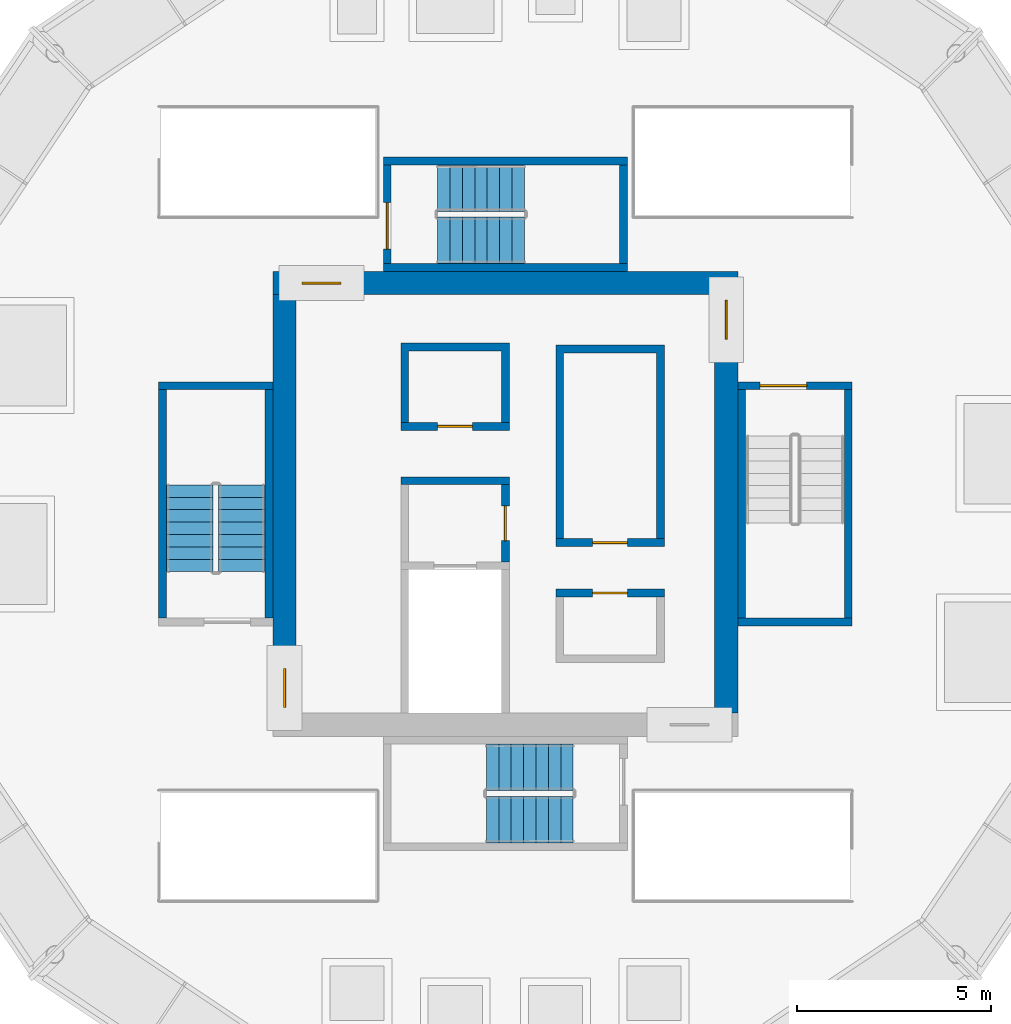
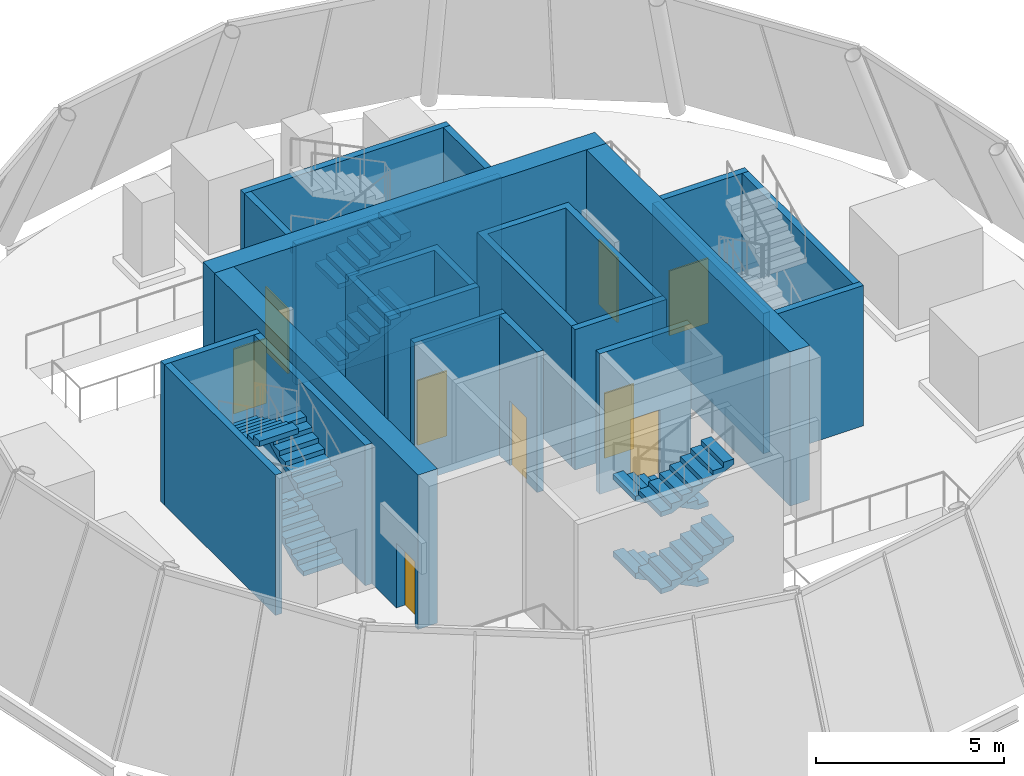
# One storey, part 4 of 8: 21 walls, 11 stair flights, 9 doors, 9 openings, 3 elements without a shape of their own.
"""IFC4 building model written with IfcOpenShell, lengths in metres."""

from ifc_helpers import new_model, si_unit, direction, frame, frame_2d, origin, place, context, subcontext, project, spatial, polyline, rectangle, outline, extrude, material, layer, layer_set, type_object, element, fill, aggregate, save


model = new_model("IFC4")

# Units and contexts
model_context = context("Model", 3, precision=1e-05, world=origin(), true_north=direction((0.0, 1.0)))
body_context = subcontext(model_context, "Body", "Model", "MODEL_VIEW")
ifc_project = project(units=[si_unit("LENGTHUNIT", "METRE"), si_unit("AREAUNIT", "SQUARE_METRE"), si_unit("VOLUMEUNIT", "CUBIC_METRE"), si_unit("PLANEANGLEUNIT", "RADIAN"), si_unit("MASSUNIT", "GRAM", prefix="KILO")], contexts=[model_context])

# Site, building, storey
site_placement = place(None, origin())
site = spatial("IfcSite", under=ifc_project, at=site_placement, CompositionType="ELEMENT")
building_placement = place(site_placement, origin())
building = spatial("IfcBuilding", under=site, at=building_placement, Name="Corvane Civic Tower", CompositionType="ELEMENT")
storey_placement = place(building_placement, frame((0.0, 0.0, 392.5)))
storey = spatial("IfcBuildingStorey", under=building, at=storey_placement, Name="L93", CompositionType="ELEMENT", Elevation=392.5)

# Wall, opening, door
ifc_material_1 = material(Name="Concrete C40/50", Category="concrete")
ifc_layer_1 = layer(ifc_material_1, 0.60009765625)
ifc_layer_set_1 = layer_set([ifc_layer_1], Name="Concrete C40/50")
wall_type_1 = type_object("IfcWallType", Name="CORE WALL 600 C40/50", PredefinedType="SHEAR", material=ifc_layer_set_1)
wall_1_placement = place(storey_placement, frame((-6.0, 5.699951171875, 0.0), z_axis=(0.0, 0.0, 1.0), x_axis=(1.0, 0.0, 0.0)))
wall_1 = element("IfcWall", 1, at=wall_1_placement, inside=storey, type_object=wall_type_1, Name="W-L93-core-N", PredefinedType="SHEAR", context=body_context, shape_type="SweptSolid", body=[
    extrude(rectangle(XDim=12.0, YDim=0.60009765625, at=frame_2d((6.0, 0.0))), origin(), (0.0, 0.0, 1.0), 5.0),
])
opening_1_placement = place(wall_1_placement, frame((0.75, 0.0, 0.0)))
opening_1 = element("IfcOpeningElement", 2, at=opening_1_placement, cuts=wall_1, Name="Opening L93.C10", PredefinedType="OPENING", context=body_context, shape_type="SweptSolid", body=[
    extrude(rectangle(XDim=1.0, YDim=2.10009765625, at=frame_2d((0.5, 1.050048828125))), frame((0.0, 0.31005859375, 0.0), z_axis=(0.0, -1.0, 0.0), x_axis=(1.0, 0.0, 0.0)), (0.0, 0.0, 1.0), 0.6201171875),
])
ifc_material_2 = material(Name="Steel fire door leaf", Category="steel")
door_type_1 = type_object("IfcDoorType", Name="CR-DOOR-CORE-1800", OperationType="DOUBLE_DOOR_SINGLE_SWING", PredefinedType="DOOR", material=ifc_material_2)
door_1_placement = place(opening_1_placement, origin())
door_1 = element("IfcDoor", 3, at=door_1_placement, inside=storey, type_object=door_type_1, Name="L93 door", OperationType="DOUBLE_DOOR_SINGLE_SWING", OverallHeight=2.10009765625, OverallWidth=1.0, PredefinedType="DOOR", context=body_context, shape_type="SweptSolid", body=[
    extrude(rectangle(XDim=1.0, YDim=2.10009765625, at=frame_2d((0.5, 1.050048828125))), frame((0.0, 0.02490234375, 0.0), z_axis=(0.0, -1.0, 0.0), x_axis=(1.0, 0.0, 0.0)), (0.0, 0.0, 1.0), 0.050048828125),
])
fill(opening_1, door_1)

wall_2_placement = place(storey_placement, frame((5.699951171875, -5.39990234375, 0.0), z_axis=(0.0, 0.0, 1.0), x_axis=(0.0, 1.0, 0.0)))
wall_2 = element("IfcWall", 4, at=wall_2_placement, inside=storey, type_object=wall_type_1, Name="W-L93-core-E", PredefinedType="SHEAR", context=body_context, shape_type="SweptSolid", body=[
    extrude(rectangle(XDim=10.7998046875, YDim=0.60009765625, at=frame_2d((5.39990234375, 0.0))), origin(), (0.0, 0.0, 1.0), 5.0),
])
opening_2_placement = place(wall_2_placement, frame((9.64990234375, 0.0, 0.0)))
opening_2 = element("IfcOpeningElement", 5, at=opening_2_placement, cuts=wall_2, Name="Opening L93.C09", PredefinedType="OPENING", context=body_context, shape_type="SweptSolid", body=[
    extrude(rectangle(XDim=1.0, YDim=2.10009765625, at=frame_2d((0.5, 1.050048828125))), frame((0.0, 0.31005859375, 0.0), z_axis=(0.0, -1.0, 0.0), x_axis=(1.0, 0.0, 0.0)), (0.0, 0.0, 1.0), 0.6201171875),
])
door_2_placement = place(opening_2_placement, origin())
door_2 = element("IfcDoor", 6, at=door_2_placement, inside=storey, type_object=door_type_1, Name="L93 door", OperationType="DOUBLE_DOOR_SINGLE_SWING", OverallHeight=2.10009765625, OverallWidth=1.0, PredefinedType="DOOR", context=body_context, shape_type="SweptSolid", body=[
    extrude(rectangle(XDim=1.0, YDim=2.10009765625, at=frame_2d((0.5, 1.050048828125))), frame((0.0, 0.02490234375, 0.0), z_axis=(0.0, -1.0, 0.0), x_axis=(1.0, 0.0, 0.0)), (0.0, 0.0, 1.0), 0.050048828125),
])
fill(opening_2, door_2)

wall_3_placement = place(storey_placement, frame((-5.699951171875, -5.39990234375, 0.0), z_axis=(0.0, 0.0, 1.0), x_axis=(0.0, 1.0, 0.0)))
wall_3 = element("IfcWall", 7, at=wall_3_placement, inside=storey, type_object=wall_type_1, Name="W-L93-core-W", PredefinedType="SHEAR", context=body_context, shape_type="SweptSolid", body=[
    extrude(rectangle(XDim=10.7998046875, YDim=0.60009765625, at=frame_2d((5.39990234375, 0.0))), origin(), (0.0, 0.0, 1.0), 5.0),
])
opening_3_placement = place(wall_3_placement, frame((0.14990234375, 0.0, 0.0)))
opening_3 = element("IfcOpeningElement", 8, at=opening_3_placement, cuts=wall_3, Name="Opening L93.C11", PredefinedType="OPENING", context=body_context, shape_type="SweptSolid", body=[
    extrude(rectangle(XDim=1.0, YDim=2.10009765625, at=frame_2d((0.5, 1.050048828125))), frame((0.0, 0.31005859375, 0.0), z_axis=(0.0, -1.0, 0.0), x_axis=(1.0, 0.0, 0.0)), (0.0, 0.0, 1.0), 0.6201171875),
])
door_3_placement = place(opening_3_placement, origin())
door_3 = element("IfcDoor", 9, at=door_3_placement, inside=storey, type_object=door_type_1, Name="L93 door", OperationType="DOUBLE_DOOR_SINGLE_SWING", OverallHeight=2.10009765625, OverallWidth=1.0, PredefinedType="DOOR", context=body_context, shape_type="SweptSolid", body=[
    extrude(rectangle(XDim=1.0, YDim=2.10009765625, at=frame_2d((0.5, 1.050048828125))), frame((0.0, 0.02490234375, 0.0), z_axis=(0.0, -1.0, 0.0), x_axis=(1.0, 0.0, 0.0)), (0.0, 0.0, 1.0), 0.050048828125),
])
fill(opening_3, door_3)

ifc_material_3 = material(Name="Concrete C30/37", Category="concrete")
ifc_layer_2 = layer(ifc_material_3, 0.199951171875)
ifc_layer_set_2 = layer_set([ifc_layer_2], Name="Concrete C30/37")
wall_type_2 = type_object("IfcWallType", Name="CR-WALL-200", PredefinedType="PARTITIONING", material=ifc_layer_set_2)
wall_4_placement = place(storey_placement, frame((1.300048828125, -2.300048828125, 0.0), z_axis=(0.0, 0.0, 1.0), x_axis=(1.0, 0.0, 0.0)))
wall_4 = element("IfcWall", 10, at=wall_4_placement, inside=storey, type_object=wall_type_2, Name="L93 core partition wall", PredefinedType="PARTITIONING", context=body_context, shape_type="SweptSolid", body=[
    extrude(rectangle(XDim=2.800048828125, YDim=0.199951171875, at=frame_2d((1.39990234375, 0.0))), origin(), (0.0, 0.0, 1.0), 4.550048828125),
])
opening_4_placement = place(wall_4_placement, frame((0.949951171875, 0.0, 0.0)))
opening_4 = element("IfcOpeningElement", 11, at=opening_4_placement, cuts=wall_4, Name="Opening L93.C04", PredefinedType="OPENING", context=body_context, shape_type="SweptSolid", body=[
    extrude(rectangle(XDim=0.89990234375, YDim=2.10009765625, at=frame_2d((0.449951171875, 1.050048828125))), frame((0.0, 0.10986328125, 0.0), z_axis=(0.0, -1.0, 0.0), x_axis=(1.0, 0.0, 0.0)), (0.0, 0.0, 1.0), 0.219970703125),
])
ifc_material_4 = material(Name="Steel fire door leaf", Category="steel")
door_type_2 = type_object("IfcDoorType", Name="CR-DOOR-900", OperationType="SINGLE_SWING_LEFT", PredefinedType="DOOR", material=ifc_material_4)
door_4_placement = place(opening_4_placement, origin())
door_4 = element("IfcDoor", 12, at=door_4_placement, inside=storey, type_object=door_type_2, Name="L93 door", OperationType="SINGLE_SWING_LEFT", OverallHeight=2.10009765625, OverallWidth=0.89990234375, PredefinedType="DOOR", context=body_context, shape_type="SweptSolid", body=[
    extrude(rectangle(XDim=0.89990234375, YDim=2.10009765625, at=frame_2d((0.449951171875, 1.050048828125))), frame((0.0, 0.02490234375, 0.0), z_axis=(0.0, -1.0, 0.0), x_axis=(1.0, 0.0, 0.0)), (0.0, 0.0, 1.0), 0.050048828125),
])
fill(opening_4, door_4)

wall_5_placement = place(storey_placement, frame((1.300048828125, -1.0, 0.0), z_axis=(0.0, 0.0, 1.0), x_axis=(1.0, 0.0, 0.0)))
wall_5 = element("IfcWall", 13, at=wall_5_placement, inside=storey, type_object=wall_type_2, Name="L93 core partition wall", PredefinedType="PARTITIONING", context=body_context, shape_type="SweptSolid", body=[
    extrude(rectangle(XDim=2.800048828125, YDim=0.199951171875, at=frame_2d((1.39990234375, 0.0))), origin(), (0.0, 0.0, 1.0), 4.550048828125),
])
opening_5_placement = place(wall_5_placement, frame((0.949951171875, 0.0, 0.0)))
opening_5 = element("IfcOpeningElement", 14, at=opening_5_placement, cuts=wall_5, Name="Opening L93.C02", PredefinedType="OPENING", context=body_context, shape_type="SweptSolid", body=[
    extrude(rectangle(XDim=0.89990234375, YDim=2.10009765625, at=frame_2d((0.449951171875, 1.050048828125))), frame((0.0, 0.10986328125, 0.0), z_axis=(0.0, -1.0, 0.0), x_axis=(1.0, 0.0, 0.0)), (0.0, 0.0, 1.0), 0.219970703125),
])
door_5_placement = place(opening_5_placement, origin())
door_5 = element("IfcDoor", 15, at=door_5_placement, inside=storey, type_object=door_type_2, Name="L93 door", OperationType="SINGLE_SWING_LEFT", OverallHeight=2.10009765625, OverallWidth=0.89990234375, PredefinedType="DOOR", context=body_context, shape_type="SweptSolid", body=[
    extrude(rectangle(XDim=0.89990234375, YDim=2.10009765625, at=frame_2d((0.449951171875, 1.050048828125))), frame((0.0, 0.02490234375, 0.0), z_axis=(0.0, -1.0, 0.0), x_axis=(1.0, 0.0, 0.0)), (0.0, 0.0, 1.0), 0.050048828125),
])
fill(opening_5, door_5)

wall_6_placement = place(storey_placement, frame((-2.699951171875, 2.0, 0.0), z_axis=(0.0, 0.0, 1.0), x_axis=(1.0, 0.0, 0.0)))
wall_6 = element("IfcWall", 16, at=wall_6_placement, inside=storey, type_object=wall_type_2, Name="L93 core partition wall", PredefinedType="PARTITIONING", context=body_context, shape_type="SweptSolid", body=[
    extrude(rectangle(XDim=2.800048828125, YDim=0.199951171875, at=frame_2d((1.39990234375, 0.0))), origin(), (0.0, 0.0, 1.0), 4.550048828125),
])
opening_6_placement = place(wall_6_placement, frame((0.949951171875, 0.0, 0.0)))
opening_6 = element("IfcOpeningElement", 17, at=opening_6_placement, cuts=wall_6, Name="Opening L93.C03", PredefinedType="OPENING", context=body_context, shape_type="SweptSolid", body=[
    extrude(rectangle(XDim=0.89990234375, YDim=2.10009765625, at=frame_2d((0.449951171875, 1.050048828125))), frame((0.0, 0.10986328125, 0.0), z_axis=(0.0, -1.0, 0.0), x_axis=(1.0, 0.0, 0.0)), (0.0, 0.0, 1.0), 0.219970703125),
])
door_6_placement = place(opening_6_placement, origin())
door_6 = element("IfcDoor", 18, at=door_6_placement, inside=storey, type_object=door_type_2, Name="L93 door", OperationType="SINGLE_SWING_LEFT", OverallHeight=2.10009765625, OverallWidth=0.89990234375, PredefinedType="DOOR", context=body_context, shape_type="SweptSolid", body=[
    extrude(rectangle(XDim=0.89990234375, YDim=2.10009765625, at=frame_2d((0.449951171875, 1.050048828125))), frame((0.0, 0.02490234375, 0.0), z_axis=(0.0, -1.0, 0.0), x_axis=(1.0, 0.0, 0.0)), (0.0, 0.0, 1.0), 0.050048828125),
])
fill(opening_6, door_6)

wall_7_placement = place(storey_placement, frame((0.0, -1.5, 0.0), z_axis=(0.0, 0.0, 1.0), x_axis=(0.0, 1.0, 0.0)))
wall_7 = element("IfcWall", 19, at=wall_7_placement, inside=storey, type_object=wall_type_2, Name="L93 core partition wall", PredefinedType="PARTITIONING", context=body_context, shape_type="SweptSolid", body=[
    extrude(rectangle(XDim=2.0, YDim=0.199951171875, at=frame_2d((1.0, 0.0))), origin(), (0.0, 0.0, 1.0), 4.550048828125),
])
opening_7_placement = place(wall_7_placement, frame((0.550048828125, 0.0, 0.0)))
opening_7 = element("IfcOpeningElement", 20, at=opening_7_placement, cuts=wall_7, Name="Opening L93.C01", PredefinedType="OPENING", context=body_context, shape_type="SweptSolid", body=[
    extrude(rectangle(XDim=0.89990234375, YDim=2.10009765625, at=frame_2d((0.449951171875, 1.050048828125))), frame((0.0, 0.10986328125, 0.0), z_axis=(0.0, -1.0, 0.0), x_axis=(1.0, 0.0, 0.0)), (0.0, 0.0, 1.0), 0.219970703125),
])
door_7_placement = place(opening_7_placement, origin())
door_7 = element("IfcDoor", 21, at=door_7_placement, inside=storey, type_object=door_type_2, Name="L93 door", OperationType="SINGLE_SWING_LEFT", OverallHeight=2.10009765625, OverallWidth=0.89990234375, PredefinedType="DOOR", context=body_context, shape_type="SweptSolid", body=[
    extrude(rectangle(XDim=0.89990234375, YDim=2.10009765625, at=frame_2d((0.449951171875, 1.050048828125))), frame((0.0, 0.02490234375, 0.0), z_axis=(0.0, -1.0, 0.0), x_axis=(1.0, 0.0, 0.0)), (0.0, 0.0, 1.0), 0.050048828125),
])
fill(opening_7, door_7)

# Walls
wall_8_placement = place(storey_placement, origin())
element("IfcWall", 22, at=wall_8_placement, inside=storey, type_object=wall_type_2, Name="L93 core partition wall", PredefinedType="PARTITIONING", context=body_context, shape_type="SweptSolid", body=[
    extrude(outline(polyline([(0.10009765625, 0.699951171875), (0.10009765625, 0.5), (-2.699951171875, 0.5), (-2.699951171875, 0.699951171875), (0.10009765625, 0.699951171875)])), origin(), (0.0, 0.0, 1.0), 4.550048828125),
])
wall_9_placement = place(storey_placement, origin())
element("IfcWall", 23, at=wall_9_placement, inside=storey, type_object=wall_type_2, Name="L93 core partition wall", PredefinedType="PARTITIONING", context=body_context, shape_type="SweptSolid", body=[
    extrude(outline(polyline([(-2.699951171875, 4.14990234375), (0.10009765625, 4.14990234375), (0.10009765625, 2.10009765625), (-0.10009765625, 2.10009765625), (-0.10009765625, 3.949951171875), (-2.5, 3.949951171875), (-2.5, 2.10009765625), (-2.699951171875, 2.10009765625), (-2.699951171875, 4.14990234375)])), origin(), (0.0, 0.0, 1.0), 4.550048828125),
])
wall_10_placement = place(storey_placement, origin())
element("IfcWall", 24, at=wall_10_placement, inside=storey, type_object=wall_type_2, Name="L93 core partition wall", PredefinedType="PARTITIONING", context=body_context, shape_type="SweptSolid", body=[
    extrude(outline(polyline([(1.300048828125, -0.89990234375), (1.300048828125, 4.10009765625), (4.10009765625, 4.10009765625), (4.10009765625, -0.89990234375), (3.89990234375, -0.89990234375), (3.89990234375, 3.89990234375), (1.5, 3.89990234375), (1.5, -0.89990234375), (1.300048828125, -0.89990234375)])), origin(), (0.0, 0.0, 1.0), 4.550048828125),
])

# Wall, opening, door
ifc_material_5 = material(Name="Concrete C50/60", Category="concrete")
ifc_layer_3 = layer(ifc_material_5, 0.199951171875)
ifc_layer_set_3 = layer_set([ifc_layer_3], Name="Concrete C50/60")
wall_type_3 = type_object("IfcWallType", Name="ST-WALL-200", PredefinedType="SHEAR", material=ifc_layer_set_3)
wall_11_placement = place(storey_placement, frame((6.0, 3.050048828125, 0.0), z_axis=(0.0, 0.0, 1.0), x_axis=(1.0, 0.0, 0.0)))
wall_11 = element("IfcWall", 25, at=wall_11_placement, inside=storey, type_object=wall_type_3, Name="L93 stair enclosure wall", PredefinedType="SHEAR", context=body_context, shape_type="SweptSolid", body=[
    extrude(rectangle(XDim=2.949951171875, YDim=0.199951171875, at=frame_2d((1.47509765625, 0.0))), origin(), (0.0, 0.0, 1.0), 4.550048828125),
])
opening_8_placement = place(wall_11_placement, frame((0.574951171875, 0.0, 0.0)))
opening_8 = element("IfcOpeningElement", 26, at=opening_8_placement, cuts=wall_11, Name="Opening L93.C05", PredefinedType="OPENING", context=body_context, shape_type="SweptSolid", body=[
    extrude(rectangle(XDim=1.199951171875, YDim=2.10009765625, at=frame_2d((0.60009765625, 1.050048828125))), frame((0.0, 0.10986328125, 0.0), z_axis=(0.0, -1.0, 0.0), x_axis=(1.0, 0.0, 0.0)), (0.0, 0.0, 1.0), 0.219970703125),
])
ifc_material_6 = material(Name="Steel fire door leaf", Category="steel")
door_type_3 = type_object("IfcDoorType", Name="ST-DOOR-1200", OperationType="SINGLE_SWING_RIGHT", PredefinedType="DOOR", material=ifc_material_6)
door_8_placement = place(opening_8_placement, origin())
door_8 = element("IfcDoor", 27, at=door_8_placement, inside=storey, type_object=door_type_3, Name="L93 stair door", OperationType="SINGLE_SWING_RIGHT", OverallHeight=2.10009765625, OverallWidth=1.199951171875, PredefinedType="DOOR", context=body_context, shape_type="SweptSolid", body=[
    extrude(rectangle(XDim=1.199951171875, YDim=2.10009765625, at=frame_2d((0.60009765625, 1.050048828125))), frame((0.0, 0.02490234375, 0.0), z_axis=(0.0, -1.0, 0.0), x_axis=(1.0, 0.0, 0.0)), (0.0, 0.0, 1.0), 0.050048828125),
])
fill(opening_8, door_8)

wall_12_placement = place(storey_placement, frame((-3.050048828125, 6.199951171875, 0.0), z_axis=(0.0, 0.0, 1.0), x_axis=(0.0, 1.0, 0.0)))
wall_12 = element("IfcWall", 28, at=wall_12_placement, inside=storey, type_object=wall_type_3, Name="L93 stair enclosure wall", PredefinedType="SHEAR", context=body_context, shape_type="SweptSolid", body=[
    extrude(rectangle(XDim=2.550048828125, YDim=0.199951171875, at=frame_2d((1.27490234375, 0.0))), origin(), (0.0, 0.0, 1.0), 4.550048828125),
])
opening_9_placement = place(wall_12_placement, frame((0.375, 0.0, 0.0)))
opening_9 = element("IfcOpeningElement", 29, at=opening_9_placement, cuts=wall_12, Name="Opening L93.C06", PredefinedType="OPENING", context=body_context, shape_type="SweptSolid", body=[
    extrude(rectangle(XDim=1.199951171875, YDim=2.10009765625, at=frame_2d((0.60009765625, 1.050048828125))), frame((0.0, 0.10986328125, 0.0), z_axis=(0.0, -1.0, 0.0), x_axis=(1.0, 0.0, 0.0)), (0.0, 0.0, 1.0), 0.219970703125),
])
door_9_placement = place(opening_9_placement, origin())
door_9 = element("IfcDoor", 30, at=door_9_placement, inside=storey, type_object=door_type_3, Name="L93 stair door", OperationType="SINGLE_SWING_RIGHT", OverallHeight=2.10009765625, OverallWidth=1.199951171875, PredefinedType="DOOR", context=body_context, shape_type="SweptSolid", body=[
    extrude(rectangle(XDim=1.199951171875, YDim=2.10009765625, at=frame_2d((0.60009765625, 1.050048828125))), frame((0.0, 0.02490234375, 0.0), z_axis=(0.0, -1.0, 0.0), x_axis=(1.0, 0.0, 0.0)), (0.0, 0.0, 1.0), 0.050048828125),
])
fill(opening_9, door_9)

# Walls
wall_13_placement = place(storey_placement, origin())
element("IfcWall", 31, at=wall_13_placement, inside=storey, type_object=wall_type_3, Name="L93 stair enclosure wall", PredefinedType="SHEAR", context=body_context, shape_type="SweptSolid", body=[
    extrude(outline(polyline([(3.14990234375, 6.0), (-3.14990234375, 6.0), (-3.14990234375, 6.199951171875), (3.14990234375, 6.199951171875), (3.14990234375, 6.0)])), origin(), (0.0, 0.0, 1.0), 4.550048828125),
])
wall_14_placement = place(storey_placement, origin())
element("IfcWall", 32, at=wall_14_placement, inside=storey, type_object=wall_type_3, Name="L93 stair enclosure wall", PredefinedType="SHEAR", context=body_context, shape_type="SweptSolid", body=[
    extrude(outline(polyline([(3.14990234375, 8.75), (-3.14990234375, 8.75), (-3.14990234375, 8.949951171875), (3.14990234375, 8.949951171875), (3.14990234375, 8.75)])), origin(), (0.0, 0.0, 1.0), 4.550048828125),
])
wall_15_placement = place(storey_placement, origin())
element("IfcWall", 33, at=wall_15_placement, inside=storey, type_object=wall_type_3, Name="L93 stair enclosure wall", PredefinedType="SHEAR", context=body_context, shape_type="SweptSolid", body=[
    extrude(outline(polyline([(-8.75, 2.949951171875), (-8.75, -2.949951171875), (-8.949951171875, -2.949951171875), (-8.949951171875, 2.949951171875), (-8.75, 2.949951171875)])), origin(), (0.0, 0.0, 1.0), 4.550048828125),
])
wall_16_placement = place(storey_placement, origin())
element("IfcWall", 34, at=wall_16_placement, inside=storey, type_object=wall_type_3, Name="L93 stair enclosure wall", PredefinedType="SHEAR", context=body_context, shape_type="SweptSolid", body=[
    extrude(outline(polyline([(-6.0, 2.949951171875), (-6.0, -2.949951171875), (-6.199951171875, -2.949951171875), (-6.199951171875, 2.949951171875), (-6.0, 2.949951171875)])), origin(), (0.0, 0.0, 1.0), 4.550048828125),
])
wall_17_placement = place(storey_placement, origin())
element("IfcWall", 35, at=wall_17_placement, inside=storey, type_object=wall_type_3, Name="L93 stair enclosure wall", PredefinedType="SHEAR", context=body_context, shape_type="SweptSolid", body=[
    extrude(outline(polyline([(6.199951171875, 2.949951171875), (6.199951171875, -2.949951171875), (6.0, -2.949951171875), (6.0, 2.949951171875), (6.199951171875, 2.949951171875)])), origin(), (0.0, 0.0, 1.0), 4.550048828125),
])
wall_18_placement = place(storey_placement, origin())
element("IfcWall", 36, at=wall_18_placement, inside=storey, type_object=wall_type_3, Name="L93 stair enclosure wall", PredefinedType="SHEAR", context=body_context, shape_type="SweptSolid", body=[
    extrude(outline(polyline([(8.949951171875, 2.949951171875), (8.949951171875, -2.949951171875), (8.75, -2.949951171875), (8.75, 2.949951171875), (8.949951171875, 2.949951171875)])), origin(), (0.0, 0.0, 1.0), 4.550048828125),
])
wall_19_placement = place(storey_placement, origin())
element("IfcWall", 37, at=wall_19_placement, inside=storey, type_object=wall_type_3, Name="L93 stair enclosure wall", PredefinedType="SHEAR", context=body_context, shape_type="SweptSolid", body=[
    extrude(outline(polyline([(-6.0, 2.9501953125), (-6.2001953125, 2.949951171875), (-8.949951171875, 2.9501953125), (-8.949951171875, 3.14990234375), (-6.0, 3.14990234375), (-6.0, 2.9501953125)])), origin(), (0.0, 0.0, 1.0), 4.550048828125),
])
wall_20_placement = place(storey_placement, origin())
element("IfcWall", 38, at=wall_20_placement, inside=storey, type_object=wall_type_3, Name="L93 stair enclosure wall", PredefinedType="SHEAR", context=body_context, shape_type="SweptSolid", body=[
    extrude(outline(polyline([(8.949951171875, -3.14990234375), (6.0, -3.14990234375), (6.0, -2.9501953125), (6.2001953125, -2.949951171875), (8.949951171875, -2.9501953125), (8.949951171875, -3.14990234375)])), origin(), (0.0, 0.0, 1.0), 4.550048828125),
])
wall_21_placement = place(storey_placement, origin())
element("IfcWall", 39, at=wall_21_placement, inside=storey, type_object=wall_type_3, Name="L93 stair enclosure wall", PredefinedType="SHEAR", context=body_context, shape_type="SweptSolid", body=[
    extrude(outline(polyline([(3.14990234375, 6.2001953125), (2.949951171875, 6.2001953125), (2.949951171875, 8.75), (3.14990234375, 8.75), (3.14990234375, 6.2001953125)])), origin(), (0.0, 0.0, 1.0), 4.550048828125),
])

# Stair, stair flights
ifc_material_7 = material(Name="Concrete C40/50", Category="concrete")
stair_type = type_object("IfcStairType", Name="ST-STAIR-HALFTURN", PredefinedType="HALF_TURN_STAIR", material=ifc_material_7)
stair_1_placement = place(storey_placement, origin())
stair_1 = element("IfcStair", 40, at=stair_1_placement, inside=storey, type_object=stair_type, Name="L93 Crown stair CS2", PredefinedType="HALF_TURN_STAIR")
ifc_material_8 = material(Name="Concrete C40/50", Category="concrete")
stair_flight_type = type_object("IfcStairFlightType", Name="ST-FLIGHT-RC", PredefinedType="STRAIGHT", material=ifc_material_8)
stair_flight_1_placement = place(storey_placement, frame((-1.75, 6.800048828125, 0.0), z_axis=(0.0, 0.0, 1.0), x_axis=(1.0, 0.0, 0.0)))
stair_flight_1 = element("IfcStairFlight", 41, at=stair_flight_1_placement, type_object=stair_flight_type, Name="CS2 flight 1", NumberOfRisers=8, NumberOfTreads=7, PredefinedType="STRAIGHT", RiserHeight=0.15625, TreadLength=0.32, context=body_context, shape_type="SweptSolid", body=[
    extrude(outline(polyline([(0.0, 0.0), (0.0, 0.15625), (0.320068359375, 0.15625), (0.320068359375, 0.3125), (0.639892578125, 0.3125), (0.639892578125, 0.46875), (0.9599609375, 0.46875), (0.9599609375, 0.625), (1.280029296875, 0.625), (1.280029296875, 0.78125), (1.60009765625, 0.78125), (1.60009765625, 0.9375), (1.919921875, 0.9375), (1.919921875, 1.09375), (2.239990234375, 1.09375), (2.239990234375, 1.25), (2.239990234375, 0.927001953125), (0.341552734375, 0.0), (0.0, 0.0)])), frame((0.0, 0.60009765625, 0.0), z_axis=(0.0, -1.0, 0.0), x_axis=(1.0, 0.0, 0.0)), (0.0, 0.0, 1.0), 1.199951171875),
])
stair_flight_2_placement = place(storey_placement, frame((0.489990234375, 8.14990234375, 1.25), z_axis=(0.0, 0.0, 1.0), x_axis=(-1.0, 0.0, 0.0)))
stair_flight_2 = element("IfcStairFlight", 42, at=stair_flight_2_placement, type_object=stair_flight_type, Name="CS2 flight 2", NumberOfRisers=8, NumberOfTreads=7, PredefinedType="STRAIGHT", RiserHeight=0.15625, TreadLength=0.32, context=body_context, shape_type="SweptSolid", body=[
    extrude(outline(polyline([(0.0, 0.0), (0.0, 0.15625), (0.320068359375, 0.15625), (0.320068359375, 0.3125), (0.639892578125, 0.3125), (0.639892578125, 0.46875), (0.9599609375, 0.46875), (0.9599609375, 0.625), (1.280029296875, 0.625), (1.280029296875, 0.78125), (1.60009765625, 0.78125), (1.60009765625, 0.9375), (1.919921875, 0.9375), (1.919921875, 1.09375), (2.239990234375, 1.09375), (2.239990234375, 1.25), (2.239990234375, 0.927001953125), (0.341552734375, 0.0), (0.0, 0.0)])), frame((0.0, 0.60009765625, 0.0), z_axis=(0.0, -1.0, 0.0), x_axis=(1.0, 0.0, 0.0)), (0.0, 0.0, 1.0), 1.199951171875),
])
stair_flight_3_placement = place(storey_placement, frame((-1.75, 6.800048828125, 2.5), z_axis=(0.0, 0.0, 1.0), x_axis=(1.0, 0.0, 0.0)))
stair_flight_3 = element("IfcStairFlight", 43, at=stair_flight_3_placement, type_object=stair_flight_type, Name="CS2 flight 3", NumberOfRisers=8, NumberOfTreads=7, PredefinedType="STRAIGHT", RiserHeight=0.15625, TreadLength=0.32, context=body_context, shape_type="SweptSolid", body=[
    extrude(outline(polyline([(0.0, 0.0), (0.0, 0.15625), (0.320068359375, 0.15625), (0.320068359375, 0.3125), (0.639892578125, 0.3125), (0.639892578125, 0.46875), (0.9599609375, 0.46875), (0.9599609375, 0.625), (1.280029296875, 0.625), (1.280029296875, 0.78125), (1.60009765625, 0.78125), (1.60009765625, 0.9375), (1.919921875, 0.9375), (1.919921875, 1.09375), (2.239990234375, 1.09375), (2.239990234375, 1.25), (2.239990234375, 0.927001953125), (0.341552734375, 0.0), (0.0, 0.0)])), frame((0.0, 0.60009765625, 0.0), z_axis=(0.0, -1.0, 0.0), x_axis=(1.0, 0.0, 0.0)), (0.0, 0.0, 1.0), 1.199951171875),
])
aggregate(stair_1, [stair_flight_1, stair_flight_2, stair_flight_3])

stair_2_placement = place(storey_placement, origin())
stair_2 = element("IfcStair", 44, at=stair_2_placement, inside=storey, type_object=stair_type, Name="L93 Crown stair CS3", PredefinedType="HALF_TURN_STAIR")
stair_flight_4_placement = place(storey_placement, frame((-6.800048828125, -1.75, 0.0), z_axis=(0.0, 0.0, 1.0), x_axis=(0.0, 1.0, 0.0)))
stair_flight_4 = element("IfcStairFlight", 45, at=stair_flight_4_placement, type_object=stair_flight_type, Name="CS3 flight 1", NumberOfRisers=8, NumberOfTreads=7, PredefinedType="STRAIGHT", RiserHeight=0.15625, TreadLength=0.32, context=body_context, shape_type="SweptSolid", body=[
    extrude(outline(polyline([(0.0, 0.0), (0.0, 0.15625), (0.320068359375, 0.15625), (0.320068359375, 0.3125), (0.639892578125, 0.3125), (0.639892578125, 0.46875), (0.9599609375, 0.46875), (0.9599609375, 0.625), (1.280029296875, 0.625), (1.280029296875, 0.78125), (1.60009765625, 0.78125), (1.60009765625, 0.9375), (1.919921875, 0.9375), (1.919921875, 1.09375), (2.239990234375, 1.09375), (2.239990234375, 1.25), (2.239990234375, 0.927001953125), (0.341552734375, 0.0), (0.0, 0.0)])), frame((0.0, 0.60009765625, 0.0), z_axis=(0.0, -1.0, 0.0), x_axis=(1.0, 0.0, 0.0)), (0.0, 0.0, 1.0), 1.199951171875),
])
stair_flight_5_placement = place(storey_placement, frame((-8.14990234375, 0.489990234375, 1.25), z_axis=(0.0, 0.0, 1.0), x_axis=(0.0, -1.0, 0.0)))
stair_flight_5 = element("IfcStairFlight", 46, at=stair_flight_5_placement, type_object=stair_flight_type, Name="CS3 flight 2", NumberOfRisers=8, NumberOfTreads=7, PredefinedType="STRAIGHT", RiserHeight=0.15625, TreadLength=0.32, context=body_context, shape_type="SweptSolid", body=[
    extrude(outline(polyline([(0.0, 0.0), (0.0, 0.15625), (0.320068359375, 0.15625), (0.320068359375, 0.3125), (0.639892578125, 0.3125), (0.639892578125, 0.46875), (0.9599609375, 0.46875), (0.9599609375, 0.625), (1.280029296875, 0.625), (1.280029296875, 0.78125), (1.60009765625, 0.78125), (1.60009765625, 0.9375), (1.919921875, 0.9375), (1.919921875, 1.09375), (2.239990234375, 1.09375), (2.239990234375, 1.25), (2.239990234375, 0.927001953125), (0.341552734375, 0.0), (0.0, 0.0)])), frame((0.0, 0.60009765625, 0.0), z_axis=(0.0, -1.0, 0.0), x_axis=(1.0, 0.0, 0.0)), (0.0, 0.0, 1.0), 1.199951171875),
])
stair_flight_6_placement = place(storey_placement, frame((-6.800048828125, -1.75, 2.5), z_axis=(0.0, 0.0, 1.0), x_axis=(0.0, 1.0, 0.0)))
stair_flight_6 = element("IfcStairFlight", 47, at=stair_flight_6_placement, type_object=stair_flight_type, Name="CS3 flight 3", NumberOfRisers=8, NumberOfTreads=7, PredefinedType="STRAIGHT", RiserHeight=0.15625, TreadLength=0.32, context=body_context, shape_type="SweptSolid", body=[
    extrude(outline(polyline([(0.0, 0.0), (0.0, 0.15625), (0.320068359375, 0.15625), (0.320068359375, 0.3125), (0.639892578125, 0.3125), (0.639892578125, 0.46875), (0.9599609375, 0.46875), (0.9599609375, 0.625), (1.280029296875, 0.625), (1.280029296875, 0.78125), (1.60009765625, 0.78125), (1.60009765625, 0.9375), (1.919921875, 0.9375), (1.919921875, 1.09375), (2.239990234375, 1.09375), (2.239990234375, 1.25), (2.239990234375, 0.927001953125), (0.341552734375, 0.0), (0.0, 0.0)])), frame((0.0, 0.60009765625, 0.0), z_axis=(0.0, -1.0, 0.0), x_axis=(1.0, 0.0, 0.0)), (0.0, 0.0, 1.0), 1.199951171875),
])
stair_flight_7_placement = place(storey_placement, frame((-8.14990234375, 0.489990234375, 3.75), z_axis=(0.0, 0.0, 1.0), x_axis=(0.0, -1.0, 0.0)))
stair_flight_7 = element("IfcStairFlight", 48, at=stair_flight_7_placement, type_object=stair_flight_type, Name="CS3 flight 4", NumberOfRisers=8, NumberOfTreads=7, PredefinedType="STRAIGHT", RiserHeight=0.15625, TreadLength=0.32, context=body_context, shape_type="SweptSolid", body=[
    extrude(outline(polyline([(0.0, 0.0), (0.0, 0.15625), (0.320068359375, 0.15625), (0.320068359375, 0.3125), (0.639892578125, 0.3125), (0.639892578125, 0.46875), (0.9599609375, 0.46875), (0.9599609375, 0.625), (1.280029296875, 0.625), (1.280029296875, 0.78125), (1.60009765625, 0.78125), (1.60009765625, 0.9375), (1.919921875, 0.9375), (1.919921875, 1.09375), (2.239990234375, 1.09375), (2.239990234375, 1.25), (2.239990234375, 0.927001953125), (0.341552734375, 0.0), (0.0, 0.0)])), frame((0.0, 0.60009765625, 0.0), z_axis=(0.0, -1.0, 0.0), x_axis=(1.0, 0.0, 0.0)), (0.0, 0.0, 1.0), 1.199951171875),
])
aggregate(stair_2, [stair_flight_4, stair_flight_5, stair_flight_6, stair_flight_7])

stair_3_placement = place(storey_placement, origin())
stair_3 = element("IfcStair", 49, at=stair_3_placement, inside=storey, type_object=stair_type, Name="L93 Crown stair CS4", PredefinedType="HALF_TURN_STAIR")
stair_flight_8_placement = place(storey_placement, frame((1.75, -6.800048828125, 0.0), z_axis=(0.0, 0.0, 1.0), x_axis=(-1.0, 0.0, 0.0)))
stair_flight_8 = element("IfcStairFlight", 50, at=stair_flight_8_placement, type_object=stair_flight_type, Name="CS4 flight 1", NumberOfRisers=8, NumberOfTreads=7, PredefinedType="STRAIGHT", RiserHeight=0.15625, TreadLength=0.32, context=body_context, shape_type="SweptSolid", body=[
    extrude(outline(polyline([(0.0, 0.0), (0.0, 0.15625), (0.320068359375, 0.15625), (0.320068359375, 0.3125), (0.639892578125, 0.3125), (0.639892578125, 0.46875), (0.9599609375, 0.46875), (0.9599609375, 0.625), (1.280029296875, 0.625), (1.280029296875, 0.78125), (1.60009765625, 0.78125), (1.60009765625, 0.9375), (1.919921875, 0.9375), (1.919921875, 1.09375), (2.239990234375, 1.09375), (2.239990234375, 1.25), (2.239990234375, 0.927001953125), (0.341552734375, 0.0), (0.0, 0.0)])), frame((0.0, 0.60009765625, 0.0), z_axis=(0.0, -1.0, 0.0), x_axis=(1.0, 0.0, 0.0)), (0.0, 0.0, 1.0), 1.199951171875),
])
stair_flight_9_placement = place(storey_placement, frame((-0.489990234375, -8.14990234375, 1.25), z_axis=(0.0, 0.0, 1.0), x_axis=(1.0, 0.0, 0.0)))
stair_flight_9 = element("IfcStairFlight", 51, at=stair_flight_9_placement, type_object=stair_flight_type, Name="CS4 flight 2", NumberOfRisers=8, NumberOfTreads=7, PredefinedType="STRAIGHT", RiserHeight=0.15625, TreadLength=0.32, context=body_context, shape_type="SweptSolid", body=[
    extrude(outline(polyline([(0.0, 0.0), (0.0, 0.15625), (0.320068359375, 0.15625), (0.320068359375, 0.3125), (0.639892578125, 0.3125), (0.639892578125, 0.46875), (0.9599609375, 0.46875), (0.9599609375, 0.625), (1.280029296875, 0.625), (1.280029296875, 0.78125), (1.60009765625, 0.78125), (1.60009765625, 0.9375), (1.919921875, 0.9375), (1.919921875, 1.09375), (2.239990234375, 1.09375), (2.239990234375, 1.25), (2.239990234375, 0.927001953125), (0.341552734375, 0.0), (0.0, 0.0)])), frame((0.0, 0.60009765625, 0.0), z_axis=(0.0, -1.0, 0.0), x_axis=(1.0, 0.0, 0.0)), (0.0, 0.0, 1.0), 1.199951171875),
])
stair_flight_10_placement = place(storey_placement, frame((1.75, -6.800048828125, 2.5), z_axis=(0.0, 0.0, 1.0), x_axis=(-1.0, 0.0, 0.0)))
stair_flight_10 = element("IfcStairFlight", 52, at=stair_flight_10_placement, type_object=stair_flight_type, Name="CS4 flight 3", NumberOfRisers=8, NumberOfTreads=7, PredefinedType="STRAIGHT", RiserHeight=0.15625, TreadLength=0.32, context=body_context, shape_type="SweptSolid", body=[
    extrude(outline(polyline([(0.0, 0.0), (0.0, 0.15625), (0.320068359375, 0.15625), (0.320068359375, 0.3125), (0.639892578125, 0.3125), (0.639892578125, 0.46875), (0.9599609375, 0.46875), (0.9599609375, 0.625), (1.280029296875, 0.625), (1.280029296875, 0.78125), (1.60009765625, 0.78125), (1.60009765625, 0.9375), (1.919921875, 0.9375), (1.919921875, 1.09375), (2.239990234375, 1.09375), (2.239990234375, 1.25), (2.239990234375, 0.927001953125), (0.341552734375, 0.0), (0.0, 0.0)])), frame((0.0, 0.60009765625, 0.0), z_axis=(0.0, -1.0, 0.0), x_axis=(1.0, 0.0, 0.0)), (0.0, 0.0, 1.0), 1.199951171875),
])
stair_flight_11_placement = place(storey_placement, frame((-0.489990234375, -8.14990234375, 3.75), z_axis=(0.0, 0.0, 1.0), x_axis=(1.0, 0.0, 0.0)))
stair_flight_11 = element("IfcStairFlight", 53, at=stair_flight_11_placement, type_object=stair_flight_type, Name="CS4 flight 4", NumberOfRisers=8, NumberOfTreads=7, PredefinedType="STRAIGHT", RiserHeight=0.15625, TreadLength=0.32, context=body_context, shape_type="SweptSolid", body=[
    extrude(outline(polyline([(0.0, 0.0), (0.0, 0.15625), (0.320068359375, 0.15625), (0.320068359375, 0.3125), (0.639892578125, 0.3125), (0.639892578125, 0.46875), (0.9599609375, 0.46875), (0.9599609375, 0.625), (1.280029296875, 0.625), (1.280029296875, 0.78125), (1.60009765625, 0.78125), (1.60009765625, 0.9375), (1.919921875, 0.9375), (1.919921875, 1.09375), (2.239990234375, 1.09375), (2.239990234375, 1.25), (2.239990234375, 0.927001953125), (0.341552734375, 0.0), (0.0, 0.0)])), frame((0.0, 0.60009765625, 0.0), z_axis=(0.0, -1.0, 0.0), x_axis=(1.0, 0.0, 0.0)), (0.0, 0.0, 1.0), 1.199951171875),
])
aggregate(stair_3, [stair_flight_8, stair_flight_9, stair_flight_10, stair_flight_11])

save(model, "model.ifc")
